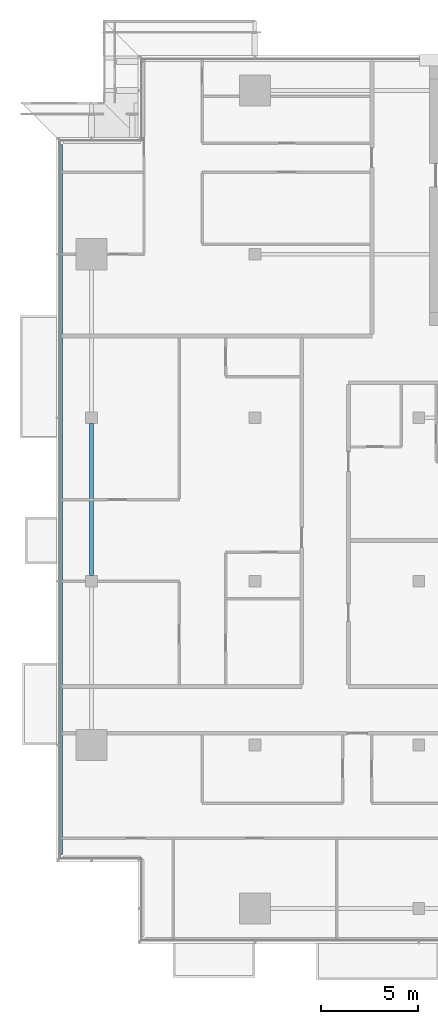
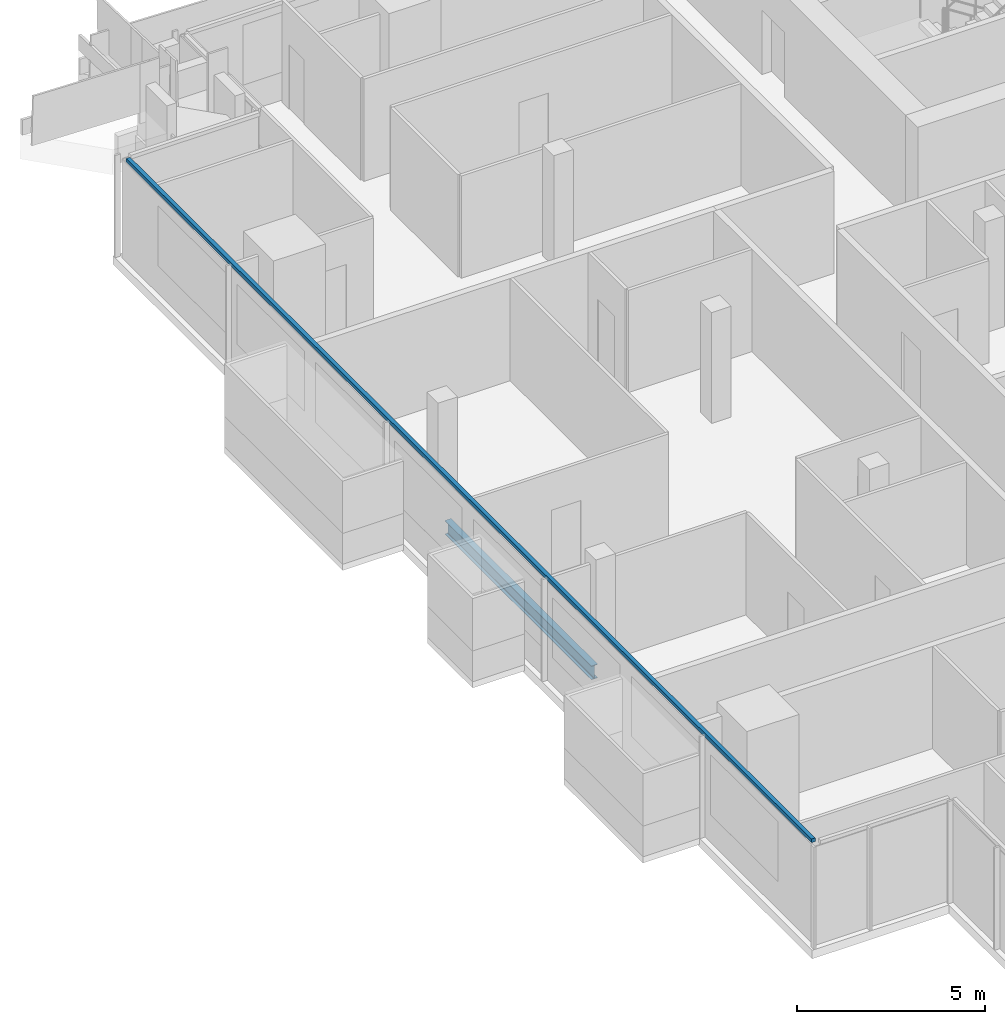
# One storey, part 3 of 30: 1 beam, 1 member, 1 element without a shape of its own.
"""IFC4 building model written with IfcOpenShell, lengths in metres."""

from ifc_helpers import new_model, si_unit, direction, frame, origin, origin_2d, place, context, subcontext, project, spatial, rectangle, i_section, extrude, material, material_profile, profile_set, type_object, element, aggregate, save


model = new_model("IFC4")

# Units and contexts
model_context = context("Model", 3, precision=1e-05, world=origin(), true_north=direction((0.0, 1.0)))
body_context = subcontext(model_context, "Body", "Model", "MODEL_VIEW")
ifc_project = project(units=[si_unit("LENGTHUNIT", "METRE"), si_unit("AREAUNIT", "SQUARE_METRE"), si_unit("VOLUMEUNIT", "CUBIC_METRE"), si_unit("PLANEANGLEUNIT", "RADIAN"), si_unit("MASSUNIT", "GRAM", prefix="KILO")], contexts=[model_context])

# Site, building, storey
site_placement = place(None, origin())
site = spatial("IfcSite", under=ifc_project, at=site_placement, CompositionType="ELEMENT")
building_placement = place(site_placement, origin())
building = spatial("IfcBuilding", under=site, at=building_placement, Name="Saffron Gate Tower", CompositionType="ELEMENT")
storey_placement = place(building_placement, frame((0.0, 0.0, 216.300048828125)))
storey = spatial("IfcBuildingStorey", under=building, at=storey_placement, Name="L52", CompositionType="ELEMENT", Elevation=216.300048828125)

# Beam
ifc_material_1 = material(Name="Structural steel S355", Category="steel")
ifc_material_profile_1 = material_profile(ifc_material_1, i_section(OverallWidth=0.18994140625, OverallDepth=0.449951171875, WebThickness=0.009521484375, FlangeThickness=0.0146484375, FilletRadius=0.02099609375, at=origin_2d()))
ifc_profile_set_1 = profile_set([ifc_material_profile_1], Name="Structural steel S355")
beam_type = type_object("IfcBeamType", Name="B7 IPE 450", PredefinedType="SPANDREL", material=ifc_profile_set_1)
beam_placement = place(storey_placement, frame((49.800048828125, 48.89990234375, -0.505126953125), z_axis=(0.0, 1.0, 0.0), x_axis=(-1.0, 0.0, 0.0)))
element("IfcBeam", 1, at=beam_placement, inside=storey, type_object=beam_type, Name="B7 SPANDREL BEAM", PredefinedType="SPANDREL", context=body_context, shape_type="SweptSolid", body=[
    extrude(i_section(OverallWidth=0.18994140625, OverallDepth=0.449951171875, WebThickness=0.009521484375, FlangeThickness=0.0146484375, FilletRadius=0.02099609375, at=origin_2d()), origin(), (0.0, 0.0, 1.0), 7.800048828125),
])

# Curtain wall, member
ifc_material_2 = material(Name="Aluminium, bronze anodised", Category="aluminium")
curtain_wall_type = type_object("IfcCurtainWallType", Name="CWS2 curtain wall side facades", PredefinedType="NOTDEFINED", material=ifc_material_2)
curtain_wall_placement = place(storey_placement, origin())
curtain_wall = element("IfcCurtainWall", 2, at=curtain_wall_placement, inside=storey, type_object=curtain_wall_type, Name="CWS2 run 10", PredefinedType="NOTDEFINED")
ifc_material_profile_2 = material_profile(ifc_material_2, rectangle(XDim=0.1201171875, YDim=0.1201171875, at=origin_2d()))
ifc_profile_set_2 = profile_set([ifc_material_profile_2], Name="Aluminium, bronze anodised")
member_type = type_object("IfcMemberType", Name="CWS2 head transom", PredefinedType="USERDEFINED", material=ifc_profile_set_2)
member_placement = place(storey_placement, frame((48.248046875, 71.031982421875, 3.260009765625), z_axis=(0.0, -1.0, 0.0), x_axis=(1.0, 0.0, 0.0)))
member = element("IfcMember", 3, at=member_placement, type_object=member_type, Name="CWS2 head transom", ObjectType="TRANSOM", PredefinedType="USERDEFINED", context=body_context, shape_type="SweptSolid", body=[
    extrude(rectangle(XDim=0.1201171875, YDim=0.1201171875, at=origin_2d()), origin(), (0.0, 0.0, 1.0), 36.4638671875),
])
aggregate(curtain_wall, [member])

save(model, "model.ifc")
